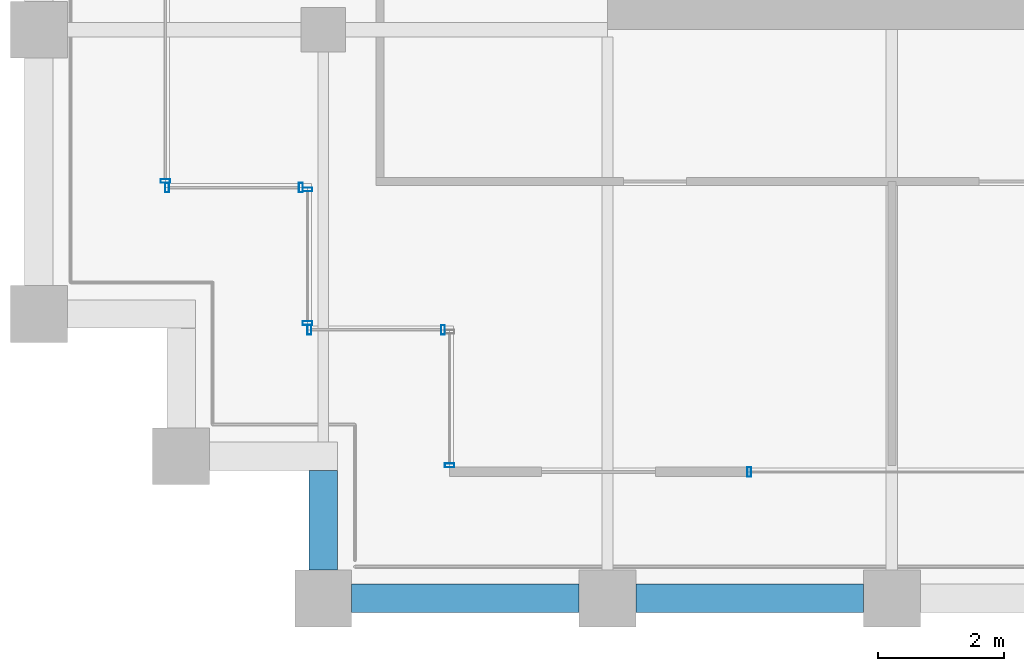
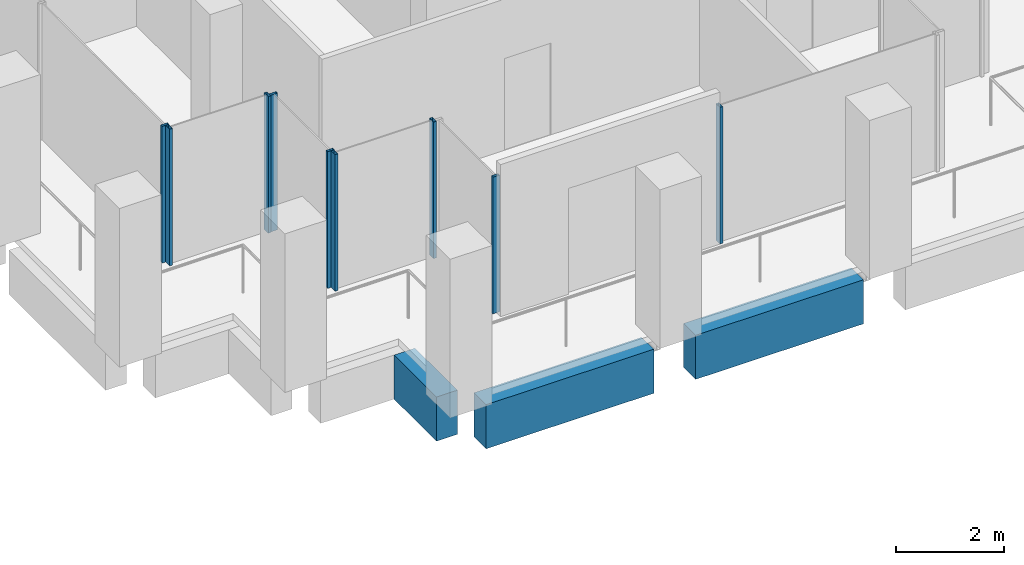
# One storey, part 28 of 40: 9 members, 3 beams, 6 elements without a shape of their own.
"""IFC4 building model written with IfcOpenShell, lengths in metres."""

from ifc_helpers import new_model, si_unit, direction, frame, origin, origin_2d, place, context, subcontext, project, spatial, rectangle, hollow_rectangle, extrude, material, material_profile, profile_set, type_object, element, aggregate, save


model = new_model("IFC4")

# Units and contexts
model_context = context("Model", 3, precision=1e-05, world=origin(), true_north=direction((0.0, 1.0)))
body_context = subcontext(model_context, "Body", "Model", "MODEL_VIEW")
ifc_project = project(units=[si_unit("LENGTHUNIT", "METRE"), si_unit("AREAUNIT", "SQUARE_METRE"), si_unit("VOLUMEUNIT", "CUBIC_METRE"), si_unit("PLANEANGLEUNIT", "RADIAN"), si_unit("MASSUNIT", "GRAM", prefix="KILO")], contexts=[model_context])

# Site, building, storey
site_placement = place(None, origin())
site = spatial("IfcSite", under=ifc_project, at=site_placement, CompositionType="ELEMENT")
building_placement = place(site_placement, origin())
building = spatial("IfcBuilding", under=site, at=building_placement, Name="Altepetl Exchange Towers", CompositionType="ELEMENT")
storey_placement = place(building_placement, frame((0.0, 0.0, 151.0)))
storey = spatial("IfcBuildingStorey", under=building, at=storey_placement, Name="L37", CompositionType="ELEMENT", Elevation=151.0)

# Curtain wall, member
ifc_material_1 = material(Name="Aluminium 6063-T6 glazing", Category="aluminium")
curtain_wall_type = type_object("IfcCurtainWallType", Name="Loggia glazing system", PredefinedType="NOTDEFINED", material=ifc_material_1)
curtain_wall_1_placement = place(storey_placement, origin())
curtain_wall_1 = element("IfcCurtainWall", 1, at=curtain_wall_1_placement, inside=storey, type_object=curtain_wall_type, Name="CW1 run", PredefinedType="NOTDEFINED")
ifc_material_2 = material(Name="Aluminium 6063-T6", Category="aluminium")
ifc_material_profile_1 = material_profile(ifc_material_2, hollow_rectangle(XDim=0.06005859375, YDim=0.14990234375, WallThickness=0.0029296875, at=origin_2d()), Name="Mullion 60x150 aluminium")
ifc_profile_set_1 = profile_set([ifc_material_profile_1], Name="Aluminium 6063-T6")
member_type = type_object("IfcMemberType", Name="Mullion 60x150 aluminium", PredefinedType="MULLION", material=ifc_profile_set_1)
member_1_placement = place(storey_placement, frame((101.0, 29.10498046875, 0.0), z_axis=(0.0, 0.0, 1.0), x_axis=(0.0, -1.0, 0.0)))
member_1 = element("IfcMember", 2, at=member_1_placement, type_object=member_type, Name="MU1 mullion", PredefinedType="MULLION", context=body_context, shape_type="SweptSolid", body=[
    extrude(hollow_rectangle(XDim=0.06005859375, YDim=0.14990234375, WallThickness=0.0029296875, at=origin_2d()), origin(), (0.0, 0.0, 1.0), 3.10009765625),
])
aggregate(curtain_wall_1, [member_1])

curtain_wall_2_placement = place(storey_placement, origin())
curtain_wall_2 = element("IfcCurtainWall", 3, at=curtain_wall_2_placement, inside=storey, type_object=curtain_wall_type, Name="CW1 run", PredefinedType="NOTDEFINED")
member_2_placement = place(storey_placement, frame((105.742431640625, 29.0, 0.0)))
member_2 = element("IfcMember", 4, at=member_2_placement, type_object=member_type, Name="MU1 mullion", PredefinedType="MULLION", context=body_context, shape_type="SweptSolid", body=[
    extrude(hollow_rectangle(XDim=0.06005859375, YDim=0.14990234375, WallThickness=0.0029296875, at=origin_2d()), origin(), (0.0, 0.0, 1.0), 3.10009765625),
])
aggregate(curtain_wall_2, [member_2])

curtain_wall_3_placement = place(storey_placement, origin())
curtain_wall_3 = element("IfcCurtainWall", 5, at=curtain_wall_3_placement, inside=storey, type_object=curtain_wall_type, Name="CW1 run", PredefinedType="NOTDEFINED")
member_3_placement = place(storey_placement, frame((96.5, 33.60498046875, 0.0), z_axis=(0.0, 0.0, 1.0), x_axis=(0.0, -1.0, 0.0)))
member_3 = element("IfcMember", 6, at=member_3_placement, type_object=member_type, Name="MU1 mullion", PredefinedType="MULLION", context=body_context, shape_type="SweptSolid", body=[
    extrude(hollow_rectangle(XDim=0.06005859375, YDim=0.14990234375, WallThickness=0.0029296875, at=origin_2d()), origin(), (0.0, 0.0, 1.0), 3.10009765625),
])
aggregate(curtain_wall_3, [member_3])

# Curtain wall, members
curtain_wall_4_placement = place(storey_placement, origin())
curtain_wall_4 = element("IfcCurtainWall", 7, at=curtain_wall_4_placement, inside=storey, type_object=curtain_wall_type, Name="CW1 run", PredefinedType="NOTDEFINED")
member_4_placement = place(storey_placement, frame((96.530029296875, 33.5, 0.0)))
member_4 = element("IfcMember", 8, at=member_4_placement, type_object=member_type, Name="MU1 mullion", PredefinedType="MULLION", context=body_context, shape_type="SweptSolid", body=[
    extrude(hollow_rectangle(XDim=0.06005859375, YDim=0.14990234375, WallThickness=0.0029296875, at=origin_2d()), origin(), (0.0, 0.0, 1.0), 3.10009765625),
])
member_5_placement = place(storey_placement, frame((98.64501953125, 33.5, 0.0)))
member_5 = element("IfcMember", 9, at=member_5_placement, type_object=member_type, Name="MU1 mullion", PredefinedType="MULLION", context=body_context, shape_type="SweptSolid", body=[
    extrude(hollow_rectangle(XDim=0.06005859375, YDim=0.14990234375, WallThickness=0.0029296875, at=origin_2d()), origin(), (0.0, 0.0, 1.0), 3.10009765625),
])
aggregate(curtain_wall_4, [member_4, member_5])

curtain_wall_5_placement = place(storey_placement, origin())
curtain_wall_5 = element("IfcCurtainWall", 10, at=curtain_wall_5_placement, inside=storey, type_object=curtain_wall_type, Name="CW1 run", PredefinedType="NOTDEFINED")
member_6_placement = place(storey_placement, frame((98.75, 33.469970703125, 0.0), z_axis=(0.0, 0.0, 1.0), x_axis=(0.0, -1.0, 0.0)))
member_6 = element("IfcMember", 11, at=member_6_placement, type_object=member_type, Name="MU1 mullion", PredefinedType="MULLION", context=body_context, shape_type="SweptSolid", body=[
    extrude(hollow_rectangle(XDim=0.06005859375, YDim=0.14990234375, WallThickness=0.0029296875, at=origin_2d()), origin(), (0.0, 0.0, 1.0), 3.10009765625),
])
member_7_placement = place(storey_placement, frame((98.75, 31.35498046875, 0.0), z_axis=(0.0, 0.0, 1.0), x_axis=(0.0, -1.0, 0.0)))
member_7 = element("IfcMember", 12, at=member_7_placement, type_object=member_type, Name="MU1 mullion", PredefinedType="MULLION", context=body_context, shape_type="SweptSolid", body=[
    extrude(hollow_rectangle(XDim=0.06005859375, YDim=0.14990234375, WallThickness=0.0029296875, at=origin_2d()), origin(), (0.0, 0.0, 1.0), 3.10009765625),
])
aggregate(curtain_wall_5, [member_6, member_7])

curtain_wall_6_placement = place(storey_placement, origin())
curtain_wall_6 = element("IfcCurtainWall", 13, at=curtain_wall_6_placement, inside=storey, type_object=curtain_wall_type, Name="CW1 run", PredefinedType="NOTDEFINED")
member_8_placement = place(storey_placement, frame((98.780029296875, 31.25, 0.0)))
member_8 = element("IfcMember", 14, at=member_8_placement, type_object=member_type, Name="MU1 mullion", PredefinedType="MULLION", context=body_context, shape_type="SweptSolid", body=[
    extrude(hollow_rectangle(XDim=0.06005859375, YDim=0.14990234375, WallThickness=0.0029296875, at=origin_2d()), origin(), (0.0, 0.0, 1.0), 3.10009765625),
])
member_9_placement = place(storey_placement, frame((100.89501953125, 31.25, 0.0)))
member_9 = element("IfcMember", 15, at=member_9_placement, type_object=member_type, Name="MU1 mullion", PredefinedType="MULLION", context=body_context, shape_type="SweptSolid", body=[
    extrude(hollow_rectangle(XDim=0.06005859375, YDim=0.14990234375, WallThickness=0.0029296875, at=origin_2d()), origin(), (0.0, 0.0, 1.0), 3.10009765625),
])
aggregate(curtain_wall_6, [member_8, member_9])

# Beams
ifc_material_3 = material(Name="Concrete C50/60 precast with tezontle facing", Category="concrete")
ifc_material_profile_2 = material_profile(ifc_material_3, rectangle(XDim=0.449951171875, YDim=1.0, at=origin_2d()), Name="450 x 1000")
ifc_profile_set_2 = profile_set([ifc_material_profile_2], Name="Concrete C50/60 precast with tezontle facing")
beam_type = type_object("IfcBeamType", Name="Spandrel beam 450x1000 tezontle", PredefinedType="SPANDREL", material=ifc_profile_set_2)
for number, where, z_axis, x_axis, name in (
    (16, (99.449951171875, 27.0, -0.64990234375), (1.0, 0.0, 0.0), (0.0, 1.0, 0.0), "sp:B:L37:000"),
    (17, (103.949951171875, 27.0, -0.64990234375), (1.0, 0.0, 0.0), (0.0, 1.0, 0.0), "sp:B:L37:001"),
):
    element("IfcBeam", number, at=place(storey_placement, frame(where, z_axis=z_axis, x_axis=x_axis)), inside=storey, type_object=beam_type, Name=name, PredefinedType="SPANDREL", context=body_context, shape_type="SweptSolid", body=[
        extrude(rectangle(XDim=0.449951171875, YDim=1.0, at=origin_2d()), origin(), (0.0, 0.0, 1.0), 3.60009765625),
    ])
beam_placement = place(storey_placement, frame((99.0, 29.02490234375, -0.64990234375), z_axis=(0.0, -1.0, 0.0), x_axis=(1.0, 0.0, 0.0)))
element("IfcBeam", 18, at=beam_placement, inside=storey, type_object=beam_type, Name="sp:B:L37:023", PredefinedType="SPANDREL", context=body_context, shape_type="SweptSolid", body=[
    extrude(rectangle(XDim=0.449951171875, YDim=1.0, at=origin_2d()), origin(), (0.0, 0.0, 1.0), 1.574951171875),
])

save(model, "model.ifc")
